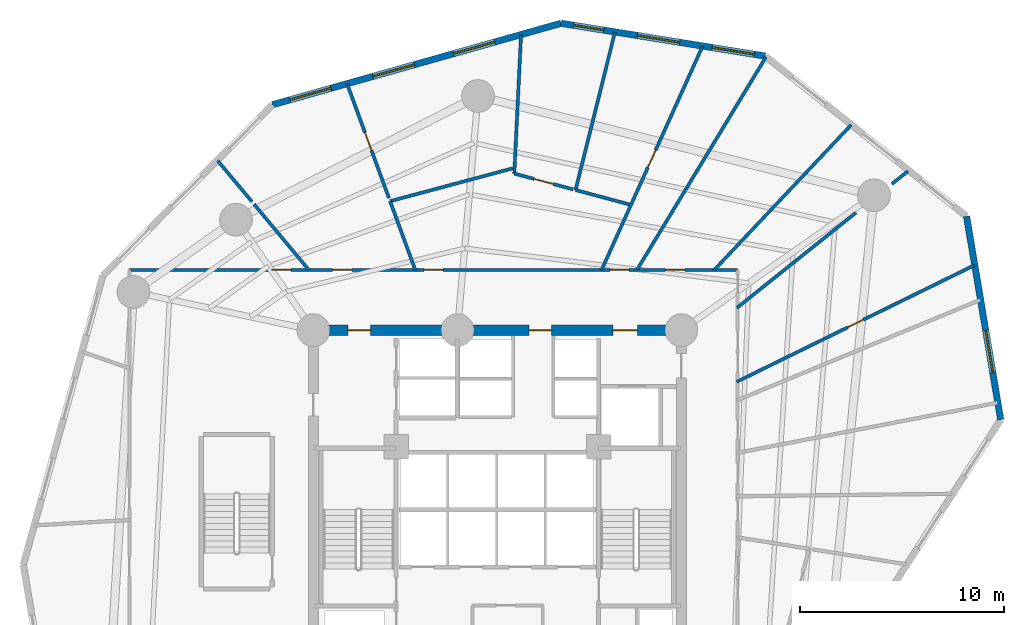
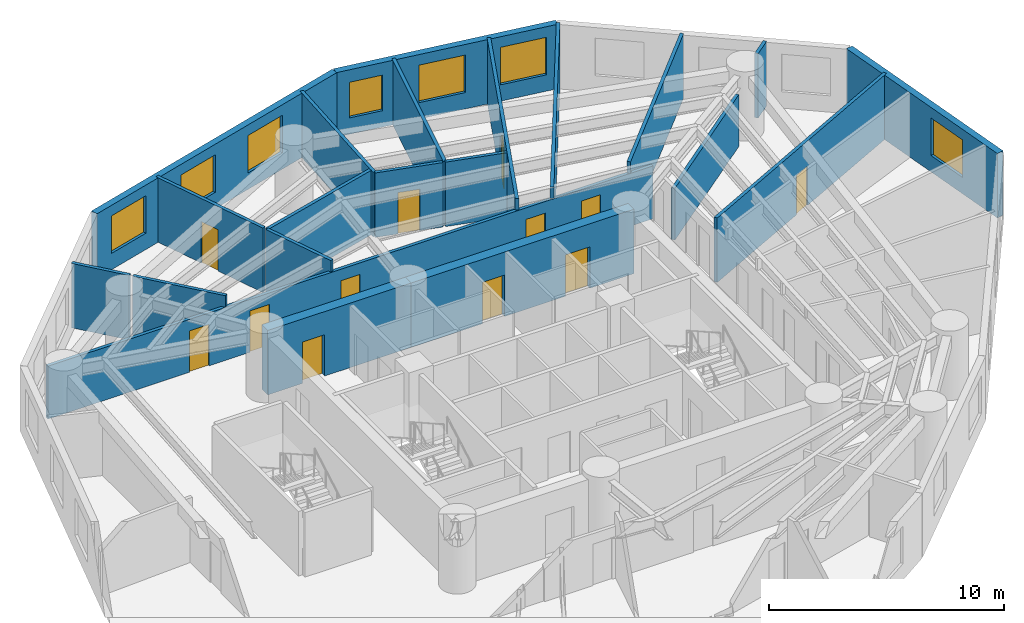
# One storey, part 6 of 8: 21 walls, 12 doors, 7 windows, 19 openings.
"""IFC4 building model written with IfcOpenShell, lengths in metres."""

from ifc_helpers import new_model, si_unit, direction, frame, frame_2d, origin, origin_with_axes, place, context, subcontext, project, spatial, rectangle, extrude, source, transform, mapped, material, layer, layer_set, type_object, element, fill, save


model = new_model("IFC4")

# Units and contexts
model_context = context("Model", 3, precision=1e-05, world=origin(), true_north=direction((0.0, 1.0)))
body_context = subcontext(model_context, "Body", "Model", "MODEL_VIEW")
ifc_project = project(units=[si_unit("LENGTHUNIT", "METRE"), si_unit("AREAUNIT", "SQUARE_METRE"), si_unit("VOLUMEUNIT", "CUBIC_METRE"), si_unit("PLANEANGLEUNIT", "RADIAN"), si_unit("MASSUNIT", "GRAM", prefix="KILO")], contexts=[model_context])

# Site, building, storey
site_placement = place(None, origin())
site = spatial("IfcSite", under=ifc_project, at=site_placement, CompositionType="ELEMENT")
building_placement = place(site_placement, origin())
building = spatial("IfcBuilding", under=site, at=building_placement, Name="Karkom Vertical University and Central Library", CompositionType="ELEMENT")
storey_placement = place(building_placement, frame((0.0, 0.0, 73.300048828125)))
storey = spatial("IfcBuildingStorey", under=building, at=storey_placement, Name="L19", CompositionType="ELEMENT", Elevation=73.300048828125)

# Wall, opening, window
ifc_material_1 = material(Name="Brick-faced precast concrete C45/55", Category="masonry")
ifc_layer_1 = layer(ifc_material_1, 0.320068359375)
ifc_layer_set_1 = layer_set([ifc_layer_1], Name="Brick-faced precast concrete C45/55")
wall_type_1 = type_object("IfcWallType", Name="ENV-WL-BRK-320", PredefinedType="SOLIDWALL", material=ifc_layer_set_1)
wall_1_placement = place(storey_placement, frame((53.123779296875, 30.317626953125, 0.0), z_axis=(0.0, 0.0, 1.0), x_axis=(-0.165473170264, 0.98621429209, 0.0)))
wall_1 = element("IfcWall", 1, at=wall_1_placement, inside=storey, type_object=wall_type_1, Name="Level 19 Brick-Faced Precast Facade Wall 09", PredefinedType="SOLIDWALL", context=body_context, shape_type="SweptSolid", body=[
    extrude(rectangle(XDim=10.09765625, YDim=0.320068359375, at=frame_2d((5.048828125, 0.0))), origin(), (0.0, 0.0, 1.0), 3.349853515625),
])
opening_1_placement = place(wall_1_placement, frame((2.343994140625, 0.0, 0.85009765625)))
opening_1 = element("IfcOpeningElement", 2, at=opening_1_placement, cuts=wall_1, Name="Opening WN-03", PredefinedType="OPENING", context=body_context, shape_type="SweptSolid", body=[
    extrude(rectangle(XDim=2.10009765625, YDim=1.949951171875, at=frame_2d((1.050048828125, 0.97509765625))), frame((0.0, 0.169921875, 0.0), z_axis=(0.0, -1.0, 0.0), x_axis=(1.0, 0.0, 0.0)), (0.0, 0.0, 1.0), 0.340087890625),
])
ifc_material_2 = material(Name="Aluminium thermal-break frame with solar-control IGU", Category="aluminium")
window_type_1 = type_object("IfcWindowType", Name="ENV-WIN-WN-03", PartitioningType="SINGLE_PANEL", PredefinedType="WINDOW", material=ifc_material_2)
shared_shape_1 = source(origin_with_axes(), body_context, "Body", "SweptSolid", [
    extrude(rectangle(XDim=2.10009765625, YDim=1.949951171875, at=frame_2d((1.050048828125, 0.97509765625))), frame((0.0, 0.030029296875, 0.0), z_axis=(0.0, -1.0, 0.0), x_axis=(1.0, 0.0, 0.0)), (0.0, 0.0, 1.0), 0.06005859375),
])
window_1_placement = place(opening_1_placement, origin())
window_1 = element("IfcWindow", 3, at=window_1_placement, inside=storey, type_object=window_type_1, Name="Level 19 Punched Window 9.1", OverallHeight=1.949951171875, OverallWidth=2.10009765625, PartitioningType="SINGLE_PANEL", PredefinedType="WINDOW", context=body_context, shape_type="MappedRepresentation", body=[
    mapped(shared_shape_1, transform((0.0, 0.0, 0.0), scale=1.0)),
])
fill(opening_1, window_1)

# Wall, openings, windows
wall_2_placement = place(storey_placement, frame((41.607177734375, 48.1123046875, 0.0), z_axis=(0.0, 0.0, 1.0), x_axis=(-0.9873463626, 0.158578561793, 0.0)))
wall_2 = element("IfcWall", 4, at=wall_2_placement, inside=storey, type_object=wall_type_1, Name="Level 19 Brick-Faced Precast Facade Wall 11", PredefinedType="SOLIDWALL", context=body_context, shape_type="SweptSolid", body=[
    extrude(rectangle(XDim=10.119384765625, YDim=0.320068359375, at=frame_2d((5.0595703125, 0.0))), origin(), (0.0, 0.0, 1.0), 3.349853515625),
])
opening_2_placement = place(wall_2_placement, frame((0.540283203125, 0.0, 0.85009765625)))
opening_2 = element("IfcOpeningElement", 5, at=opening_2_placement, cuts=wall_2, Name="Opening WN-03", PredefinedType="OPENING", context=body_context, shape_type="SweptSolid", body=[
    extrude(rectangle(XDim=2.10009765625, YDim=1.949951171875, at=frame_2d((1.050048828125, 0.97509765625))), frame((0.0, 0.169921875, 0.0), z_axis=(0.0, -1.0, 0.0), x_axis=(1.0, 0.0, 0.0)), (0.0, 0.0, 1.0), 0.340087890625),
])
opening_3_placement = place(wall_2_placement, frame((4.236572265625, 0.0, 0.85009765625)))
opening_3 = element("IfcOpeningElement", 6, at=opening_3_placement, cuts=wall_2, Name="Opening WN-03", PredefinedType="OPENING", context=body_context, shape_type="SweptSolid", body=[
    extrude(rectangle(XDim=2.10009765625, YDim=1.949951171875, at=frame_2d((1.050048828125, 0.97509765625))), frame((0.0, 0.169921875, 0.0), z_axis=(0.0, -1.0, 0.0), x_axis=(1.0, 0.0, 0.0)), (0.0, 0.0, 1.0), 0.340087890625),
])
opening_4_placement = place(wall_2_placement, frame((8.006103515625, 0.0, 0.85009765625)))
opening_4 = element("IfcOpeningElement", 7, at=opening_4_placement, cuts=wall_2, Name="Opening WN-05", PredefinedType="OPENING", context=body_context, shape_type="SweptSolid", body=[
    extrude(rectangle(XDim=1.5, YDim=1.85009765625, at=frame_2d((0.75, 0.925048828125))), frame((0.0, 0.169921875, 0.0), z_axis=(0.0, -1.0, 0.0), x_axis=(1.0, 0.0, 0.0)), (0.0, 0.0, 1.0), 0.340087890625),
])
window_2_placement = place(opening_2_placement, origin())
window_2 = element("IfcWindow", 8, at=window_2_placement, inside=storey, type_object=window_type_1, Name="Level 19 Punched Window 11.1", OverallHeight=1.949951171875, OverallWidth=2.10009765625, PartitioningType="SINGLE_PANEL", PredefinedType="WINDOW", context=body_context, shape_type="MappedRepresentation", body=[
    mapped(shared_shape_1, transform((0.0, 0.0, 0.0), scale=1.0)),
])
fill(opening_2, window_2)
window_3_placement = place(opening_3_placement, origin())
window_3 = element("IfcWindow", 9, at=window_3_placement, inside=storey, type_object=window_type_1, Name="Level 19 Punched Window 11.2", OverallHeight=1.949951171875, OverallWidth=2.10009765625, PartitioningType="SINGLE_PANEL", PredefinedType="WINDOW", context=body_context, shape_type="MappedRepresentation", body=[
    mapped(shared_shape_1, transform((0.0, 0.0, 0.0), scale=1.0)),
])
fill(opening_3, window_3)
window_type_2 = type_object("IfcWindowType", Name="ENV-WIN-WN-05", PartitioningType="SINGLE_PANEL", PredefinedType="WINDOW", material=ifc_material_2)
shared_shape_2 = source(origin_with_axes(), body_context, "Body", "SweptSolid", [
    extrude(rectangle(XDim=1.5, YDim=1.85009765625, at=frame_2d((0.75, 0.925048828125))), frame((0.0, 0.030029296875, 0.0), z_axis=(0.0, -1.0, 0.0), x_axis=(1.0, 0.0, 0.0)), (0.0, 0.0, 1.0), 0.06005859375),
])
window_4_placement = place(opening_4_placement, origin())
window_4 = element("IfcWindow", 10, at=window_4_placement, inside=storey, type_object=window_type_2, Name="Level 19 Punched Window 11.3", OverallHeight=1.85009765625, OverallWidth=1.5, PartitioningType="SINGLE_PANEL", PredefinedType="WINDOW", context=body_context, shape_type="MappedRepresentation", body=[
    mapped(shared_shape_2, transform((0.0, 0.0, 0.0), scale=1.0)),
])
fill(opening_4, window_4)

wall_3_placement = place(storey_placement, frame((31.61572265625, 49.717041015625, 0.0), z_axis=(0.0, 0.0, 1.0), x_axis=(-0.962407203723, -0.271610703436, 0.0)))
wall_3 = element("IfcWall", 11, at=wall_3_placement, inside=storey, type_object=wall_type_1, Name="Level 19 Brick-Faced Precast Facade Wall 12", PredefinedType="SOLIDWALL", context=body_context, shape_type="SweptSolid", body=[
    extrude(rectangle(XDim=14.67578125, YDim=0.320068359375, at=frame_2d((7.337890625, 0.0))), origin(), (0.0, 0.0, 1.0), 3.349853515625),
])
opening_5_placement = place(wall_3_placement, frame((3.370361328125, 0.0, 0.85009765625)))
opening_5 = element("IfcOpeningElement", 12, at=opening_5_placement, cuts=wall_3, Name="Opening WN-03", PredefinedType="OPENING", context=body_context, shape_type="SweptSolid", body=[
    extrude(rectangle(XDim=2.10009765625, YDim=1.949951171875, at=frame_2d((1.050048828125, 0.97509765625))), frame((0.0, 0.169921875, 0.0), z_axis=(0.0, -1.0, 0.0), x_axis=(1.0, 0.0, 0.0)), (0.0, 0.0, 1.0), 0.340087890625),
])
opening_6_placement = place(wall_3_placement, frame((7.45947265625, 0.0, 0.85009765625)))
opening_6 = element("IfcOpeningElement", 13, at=opening_6_placement, cuts=wall_3, Name="Opening WN-03", PredefinedType="OPENING", context=body_context, shape_type="SweptSolid", body=[
    extrude(rectangle(XDim=2.10009765625, YDim=1.949951171875, at=frame_2d((1.050048828125, 0.97509765625))), frame((0.0, 0.169921875, 0.0), z_axis=(0.0, -1.0, 0.0), x_axis=(1.0, 0.0, 0.0)), (0.0, 0.0, 1.0), 0.340087890625),
])
opening_7_placement = place(wall_3_placement, frame((11.695068359375, 0.0, 0.85009765625)))
opening_7 = element("IfcOpeningElement", 14, at=opening_7_placement, cuts=wall_3, Name="Opening WN-03", PredefinedType="OPENING", context=body_context, shape_type="SweptSolid", body=[
    extrude(rectangle(XDim=2.10009765625, YDim=1.949951171875, at=frame_2d((1.050048828125, 0.97509765625))), frame((0.0, 0.169921875, 0.0), z_axis=(0.0, -1.0, 0.0), x_axis=(1.0, 0.0, 0.0)), (0.0, 0.0, 1.0), 0.340087890625),
])
window_5_placement = place(opening_5_placement, origin())
window_5 = element("IfcWindow", 15, at=window_5_placement, inside=storey, type_object=window_type_1, Name="Level 19 Punched Window 12.1", OverallHeight=1.949951171875, OverallWidth=2.10009765625, PartitioningType="SINGLE_PANEL", PredefinedType="WINDOW", context=body_context, shape_type="MappedRepresentation", body=[
    mapped(shared_shape_1, transform((0.0, 0.0, 0.0), scale=1.0)),
])
fill(opening_5, window_5)
window_6_placement = place(opening_6_placement, origin())
window_6 = element("IfcWindow", 16, at=window_6_placement, inside=storey, type_object=window_type_1, Name="Level 19 Punched Window 12.2", OverallHeight=1.949951171875, OverallWidth=2.10009765625, PartitioningType="SINGLE_PANEL", PredefinedType="WINDOW", context=body_context, shape_type="MappedRepresentation", body=[
    mapped(shared_shape_1, transform((0.0, 0.0, 0.0), scale=1.0)),
])
fill(opening_6, window_6)
window_7_placement = place(opening_7_placement, origin())
window_7 = element("IfcWindow", 17, at=window_7_placement, inside=storey, type_object=window_type_1, Name="Level 19 Punched Window 12.3", OverallHeight=1.949951171875, OverallWidth=2.10009765625, PartitioningType="SINGLE_PANEL", PredefinedType="WINDOW", context=body_context, shape_type="MappedRepresentation", body=[
    mapped(shared_shape_1, transform((0.0, 0.0, 0.0), scale=1.0)),
])
fill(opening_7, window_7)

# Wall, openings, doors
ifc_material_3 = material(Name="Insulated metal-stud drywall 160mm", Category="gypsum")
ifc_layer_2 = layer(ifc_material_3, 0.159912109375)
ifc_layer_set_2 = layer_set([ifc_layer_2], Name="Insulated metal-stud drywall 160mm")
wall_type_2 = type_object("IfcWallType", Name="INT-WL-COR-160", PredefinedType="PARTITIONING", material=ifc_layer_set_2)
wall_4_placement = place(storey_placement, frame((10.5, 37.64990234375, 0.0), z_axis=(0.0, 0.0, 1.0), x_axis=(1.0, 0.0, 0.0)))
wall_4 = element("IfcWall", 18, at=wall_4_placement, inside=storey, type_object=wall_type_2, Name="Level 19 Interior Partition Wall L19-CORW-CW-003", PredefinedType="PARTITIONING", context=body_context, shape_type="SweptSolid", body=[
    extrude(rectangle(XDim=29.75, YDim=0.159912109375, at=frame_2d((14.875, 0.0))), origin(), (0.0, 0.0, 1.0), 2.75),
])
opening_8_placement = place(wall_4_placement, frame((26.22216796875, 0.0, 0.0)))
opening_8 = element("IfcOpeningElement", 19, at=opening_8_placement, cuts=wall_4, Name="Opening D-RM1", PredefinedType="OPENING", context=body_context, shape_type="SweptSolid", body=[
    extrude(rectangle(XDim=0.949951171875, YDim=2.14990234375, at=frame_2d((0.47509765625, 1.074951171875))), frame((0.0, 0.08984375, 0.0), z_axis=(0.0, -1.0, 0.0), x_axis=(1.0, 0.0, 0.0)), (0.0, 0.0, 1.0), 0.179931640625),
])
opening_9_placement = place(wall_4_placement, frame((23.499755859375, 0.0, 0.0)))
opening_9 = element("IfcOpeningElement", 20, at=opening_9_placement, cuts=wall_4, Name="Opening D-RM1", PredefinedType="OPENING", context=body_context, shape_type="SweptSolid", body=[
    extrude(rectangle(XDim=0.949951171875, YDim=2.14990234375, at=frame_2d((0.47509765625, 1.074951171875))), frame((0.0, 0.08984375, 0.0), z_axis=(0.0, -1.0, 0.0), x_axis=(1.0, 0.0, 0.0)), (0.0, 0.0, 1.0), 0.179931640625),
])
opening_10_placement = place(wall_4_placement, frame((14.39990234375, 0.0, 0.0)))
opening_10 = element("IfcOpeningElement", 21, at=opening_10_placement, cuts=wall_4, Name="Opening D-RM1", PredefinedType="OPENING", context=body_context, shape_type="SweptSolid", body=[
    extrude(rectangle(XDim=0.949951171875, YDim=2.14990234375, at=frame_2d((0.47509765625, 1.074951171875))), frame((0.0, 0.08984375, 0.0), z_axis=(0.0, -1.0, 0.0), x_axis=(1.0, 0.0, 0.0)), (0.0, 0.0, 1.0), 0.179931640625),
])
opening_11_placement = place(wall_4_placement, frame((9.9375, 0.0, 0.0)))
opening_11 = element("IfcOpeningElement", 22, at=opening_11_placement, cuts=wall_4, Name="Opening D-RM1", PredefinedType="OPENING", context=body_context, shape_type="SweptSolid", body=[
    extrude(rectangle(XDim=0.949951171875, YDim=2.14990234375, at=frame_2d((0.47509765625, 1.074951171875))), frame((0.0, 0.08984375, 0.0), z_axis=(0.0, -1.0, 0.0), x_axis=(1.0, 0.0, 0.0)), (0.0, 0.0, 1.0), 0.179931640625),
])
opening_12_placement = place(wall_4_placement, frame((6.96240234375, 0.0, 0.0)))
opening_12 = element("IfcOpeningElement", 23, at=opening_12_placement, cuts=wall_4, Name="Opening D-RM1", PredefinedType="OPENING", context=body_context, shape_type="SweptSolid", body=[
    extrude(rectangle(XDim=0.949951171875, YDim=2.14990234375, at=frame_2d((0.47509765625, 1.074951171875))), frame((0.0, 0.08984375, 0.0), z_axis=(0.0, -1.0, 0.0), x_axis=(1.0, 0.0, 0.0)), (0.0, 0.0, 1.0), 0.179931640625),
])
ifc_material_4 = material(Name="Solid-core oak veneer door", Category="wood")
door_type_1 = type_object("IfcDoorType", Name="INT-DR-RM1", OperationType="NOTDEFINED", PredefinedType="DOOR", material=ifc_material_4)
shared_shape_3 = source(origin_with_axes(), body_context, "Body", "SweptSolid", [
    extrude(rectangle(XDim=0.949951171875, YDim=2.14990234375, at=frame_2d((0.47509765625, 1.074951171875))), frame((0.0, 0.02490234375, 0.0), z_axis=(0.0, -1.0, 0.0), x_axis=(1.0, 0.0, 0.0)), (0.0, 0.0, 1.0), 0.050048828125),
])
door_1_placement = place(opening_8_placement, origin())
door_1 = element("IfcDoor", 24, at=door_1_placement, inside=storey, type_object=door_type_1, Name="Level 19 Room Entry Door 180", OperationType="SINGLE_SWING_RIGHT", OverallHeight=2.14990234375, OverallWidth=0.949951171875, PredefinedType="DOOR", context=body_context, shape_type="MappedRepresentation", body=[
    mapped(shared_shape_3, transform((0.0, 0.0, 0.0), scale=1.0)),
])
fill(opening_8, door_1)
door_2_placement = place(opening_9_placement, origin())
door_2 = element("IfcDoor", 25, at=door_2_placement, inside=storey, type_object=door_type_1, Name="Level 19 Room Entry Door 190", OperationType="SINGLE_SWING_LEFT", OverallHeight=2.14990234375, OverallWidth=0.949951171875, PredefinedType="DOOR", context=body_context, shape_type="MappedRepresentation", body=[
    mapped(shared_shape_3, transform((0.0, 0.0, 0.0), scale=1.0)),
])
fill(opening_9, door_2)
door_3_placement = place(opening_10_placement, origin())
door_3 = element("IfcDoor", 26, at=door_3_placement, inside=storey, type_object=door_type_1, Name="Level 19 Room Entry Door 220", OperationType="SINGLE_SWING_RIGHT", OverallHeight=2.14990234375, OverallWidth=0.949951171875, PredefinedType="DOOR", context=body_context, shape_type="MappedRepresentation", body=[
    mapped(shared_shape_3, transform((0.0, 0.0, 0.0), scale=1.0)),
])
fill(opening_10, door_3)
door_4_placement = place(opening_11_placement, origin())
door_4 = element("IfcDoor", 27, at=door_4_placement, inside=storey, type_object=door_type_1, Name="Level 19 Room Entry Door 240", OperationType="SINGLE_SWING_LEFT", OverallHeight=2.14990234375, OverallWidth=0.949951171875, PredefinedType="DOOR", context=body_context, shape_type="MappedRepresentation", body=[
    mapped(shared_shape_3, transform((0.0, 0.0, 0.0), scale=1.0)),
])
fill(opening_11, door_4)
door_5_placement = place(opening_12_placement, origin())
door_5 = element("IfcDoor", 28, at=door_5_placement, inside=storey, type_object=door_type_1, Name="Level 19 Room Entry Door 250", OperationType="SINGLE_SWING_RIGHT", OverallHeight=2.14990234375, OverallWidth=0.949951171875, PredefinedType="DOOR", context=body_context, shape_type="MappedRepresentation", body=[
    mapped(shared_shape_3, transform((0.0, 0.0, 0.0), scale=1.0)),
])
fill(opening_12, door_5)

# Wall, opening, door
wall_5_placement = place(storey_placement, frame((40.209716796875, 32.1767578125, 0.0), z_axis=(0.0, 0.0, 1.0), x_axis=(0.897812210976, 0.44037851199, 0.0)))
wall_5 = element("IfcWall", 29, at=wall_5_placement, inside=storey, type_object=wall_type_2, Name="Level 19 Interior Partition Wall L19-PW-025", PredefinedType="PARTITIONING", context=body_context, shape_type="SweptSolid", body=[
    extrude(rectangle(XDim=12.9404296875, YDim=0.159912109375, at=frame_2d((6.47021484375, 0.0))), origin(), (0.0, 0.0, 1.0), 3.349853515625),
])
opening_13_placement = place(wall_5_placement, frame((6.040283203125, 0.0, 0.0)))
opening_13 = element("IfcOpeningElement", 30, at=opening_13_placement, cuts=wall_5, Name="Opening FD-BTH2", PredefinedType="OPENING", context=body_context, shape_type="SweptSolid", body=[
    extrude(rectangle(XDim=0.860107421875, YDim=2.0400390625, at=frame_2d((0.43017578125, 1.02001953125))), frame((0.0, 0.08984375, 0.0), z_axis=(0.0, -1.0, 0.0), x_axis=(1.0, 0.0, 0.0)), (0.0, 0.0, 1.0), 0.179931640625),
])
ifc_material_5 = material(Name="Fire-rated moisture-resistant oak door", Category="wood")
door_type_2 = type_object("IfcDoorType", Name="INT-DR-FBTH2", OperationType="NOTDEFINED", PredefinedType="DOOR", material=ifc_material_5)
shared_shape_4 = source(origin_with_axes(), body_context, "Body", "SweptSolid", [
    extrude(rectangle(XDim=0.860107421875, YDim=2.0400390625, at=frame_2d((0.43017578125, 1.02001953125))), frame((0.0, 0.02490234375, 0.0), z_axis=(0.0, -1.0, 0.0), x_axis=(1.0, 0.0, 0.0)), (0.0, 0.0, 1.0), 0.050048828125),
])
door_6_placement = place(opening_13_placement, origin())
door_6 = element("IfcDoor", 31, at=door_6_placement, inside=storey, type_object=door_type_2, Name="Level 19 Faculty Consultation and Research Office Entry Door", OperationType="SINGLE_SWING_LEFT", OverallHeight=2.0400390625, OverallWidth=0.860107421875, PredefinedType="DOOR", context=body_context, shape_type="MappedRepresentation", body=[
    mapped(shared_shape_4, transform((0.0, 0.0, 0.0), scale=1.0)),
])
fill(opening_13, door_6)

# Wall
wall_6_placement = place(storey_placement, frame((35.3115234375, 37.624267578125, 0.0), z_axis=(0.0, 0.0, 1.0), x_axis=(0.518254704024, 0.855226321951, 0.0)))
element("IfcWall", 32, at=wall_6_placement, inside=storey, type_object=wall_type_2, Name="Level 19 Interior Partition Wall L19-PW-029", PredefinedType="PARTITIONING", context=body_context, shape_type="SweptSolid", body=[
    extrude(rectangle(XDim=12.2001953125, YDim=0.159912109375, at=frame_2d((6.10009765625, 0.0))), origin(), (0.0, 0.0, 1.0), 3.349853515625),
])

# Wall, opening, door
wall_7_placement = place(storey_placement, frame((33.5859375, 37.622802734375, 0.0), z_axis=(0.0, 0.0, 1.0), x_axis=(0.411374475058, 0.911466423556, 0.0)))
wall_7 = element("IfcWall", 33, at=wall_7_placement, inside=storey, type_object=wall_type_2, Name="Level 19 Interior Partition Wall L19-PW-030", PredefinedType="PARTITIONING", context=body_context, shape_type="SweptSolid", body=[
    extrude(rectangle(XDim=12.020263671875, YDim=0.159912109375, at=frame_2d((6.01025390625, 0.0))), origin(), (0.0, 0.0, 1.0), 3.349853515625),
])
opening_14_placement = place(wall_7_placement, frame((5.517578125, 0.0, 0.0)))
opening_14 = element("IfcOpeningElement", 34, at=opening_14_placement, cuts=wall_7, Name="Opening D-RM1", PredefinedType="OPENING", context=body_context, shape_type="SweptSolid", body=[
    extrude(rectangle(XDim=0.949951171875, YDim=2.14990234375, at=frame_2d((0.47509765625, 1.074951171875))), frame((0.0, 0.08984375, 0.0), z_axis=(0.0, -1.0, 0.0), x_axis=(1.0, 0.0, 0.0)), (0.0, 0.0, 1.0), 0.179931640625),
])
door_7_placement = place(opening_14_placement, origin())
door_7 = element("IfcDoor", 35, at=door_7_placement, inside=storey, type_object=door_type_1, Name="Level 19 Room Entry Door 200", OperationType="SINGLE_SWING_RIGHT", OverallHeight=2.14990234375, OverallWidth=0.949951171875, PredefinedType="DOOR", context=body_context, shape_type="MappedRepresentation", body=[
    mapped(shared_shape_3, transform((0.0, 0.0, 0.0), scale=1.0)),
])
fill(opening_14, door_7)

# Walls
wall_8_placement = place(storey_placement, frame((39.077392578125, 37.6171875, 0.0), z_axis=(0.0, 0.0, 1.0), x_axis=(0.686453747447, 0.727173468036, 0.0)))
element("IfcWall", 36, at=wall_8_placement, inside=storey, type_object=wall_type_2, Name="Level 19 Interior Partition Wall L19-PW-028", PredefinedType="PARTITIONING", context=body_context, shape_type="SweptSolid", body=[
    extrude(rectangle(XDim=9.796875, YDim=0.159912109375, at=frame_2d((4.8984375, 0.0))), origin(), (0.0, 0.0, 1.0), 3.349853515625),
])
wall_9_placement = place(storey_placement, frame((32.322265625, 41.55859375, 0.0), z_axis=(0.0, 0.0, 1.0), x_axis=(0.242297077633, 0.970202105837, 0.0)))
element("IfcWall", 37, at=wall_9_placement, inside=storey, type_object=wall_type_2, Name="Level 19 Interior Partition Wall L19-PW-031", PredefinedType="PARTITIONING", context=body_context, shape_type="SweptSolid", body=[
    extrude(rectangle(XDim=7.947021484375, YDim=0.159912109375, at=frame_2d((3.9736328125, 0.0))), origin(), (0.0, 0.0, 1.0), 3.349853515625),
])
wall_10_placement = place(storey_placement, frame((40.21484375, 35.79150390625, 0.0), z_axis=(0.0, 0.0, 1.0), x_axis=(0.78096459867, 0.624575292197, 0.0)))
element("IfcWall", 38, at=wall_10_placement, inside=storey, type_object=wall_type_2, Name="Level 19 Interior Partition Wall L19-PW-027", PredefinedType="PARTITIONING", context=body_context, shape_type="SweptSolid", body=[
    extrude(rectangle(XDim=7.458984375, YDim=0.159912109375, at=frame_2d((3.7294921875, 0.0))), origin(), (0.0, 0.0, 1.0), 2.699951171875),
])
wall_11_placement = place(storey_placement, frame((29.327880859375, 42.361083984375, 0.0), z_axis=(0.0, 0.0, 1.0), x_axis=(0.048350248151, 0.99883044282, 0.0)))
element("IfcWall", 39, at=wall_11_placement, inside=storey, type_object=wall_type_2, Name="Level 19 Interior Partition Wall L19-PW-034", PredefinedType="PARTITIONING", context=body_context, shape_type="SweptSolid", body=[
    extrude(rectangle(XDim=6.78125, YDim=0.159912109375, at=frame_2d((3.390625, 0.0))), origin(), (0.0, 0.0, 1.0), 3.349853515625),
])

# Wall, opening, door
wall_12_placement = place(storey_placement, frame((23.1962890625, 41.16162109375, 0.0), z_axis=(0.0, 0.0, 1.0), x_axis=(-0.343755732902, 0.939059101493, 0.0)))
wall_12 = element("IfcWall", 40, at=wall_12_placement, inside=storey, type_object=wall_type_2, Name="Level 19 Interior Partition Wall L19-PW-037", PredefinedType="PARTITIONING", context=body_context, shape_type="SweptSolid", body=[
    extrude(rectangle(XDim=5.938720703125, YDim=0.159912109375, at=frame_2d((2.96923828125, 0.0))), origin(), (0.0, 0.0, 1.0), 3.349853515625),
])
opening_15_placement = place(wall_12_placement, frame((2.476806640625, 0.0, 0.0)))
opening_15 = element("IfcOpeningElement", 41, at=opening_15_placement, cuts=wall_12, Name="Opening D-RM1", PredefinedType="OPENING", context=body_context, shape_type="SweptSolid", body=[
    extrude(rectangle(XDim=0.949951171875, YDim=2.14990234375, at=frame_2d((0.47509765625, 1.074951171875))), frame((0.0, 0.08984375, 0.0), z_axis=(0.0, -1.0, 0.0), x_axis=(1.0, 0.0, 0.0)), (0.0, 0.0, 1.0), 0.179931640625),
])
door_8_placement = place(opening_15_placement, origin())
door_8 = element("IfcDoor", 42, at=door_8_placement, inside=storey, type_object=door_type_1, Name="Level 19 Room Entry Door 230", OperationType="SINGLE_SWING_RIGHT", OverallHeight=2.14990234375, OverallWidth=0.949951171875, PredefinedType="DOOR", context=body_context, shape_type="MappedRepresentation", body=[
    mapped(shared_shape_3, transform((0.0, 0.0, 0.0), scale=1.0)),
])
fill(opening_15, door_8)

# Walls
wall_13_placement = place(storey_placement, frame((23.251708984375, 41.010986328125, 0.0), z_axis=(0.0, 0.0, 1.0), x_axis=(0.965925777149, 0.258819228495, 0.0)))
element("IfcWall", 43, at=wall_13_placement, inside=storey, type_object=wall_type_2, Name="Level 19 Interior Partition Wall L19-PW-035", PredefinedType="PARTITIONING", context=body_context, shape_type="SweptSolid", body=[
    extrude(rectangle(XDim=6.21337890625, YDim=0.159912109375, at=frame_2d((3.106689453125, 0.0))), origin(), (0.0, 0.0, 1.0), 3.349853515625),
])
wall_14_placement = place(storey_placement, frame((19.295654296875, 37.626953125, 0.0), z_axis=(0.0, 0.0, 1.0), x_axis=(-0.64061705383, 0.767860527923, 0.0)))
element("IfcWall", 44, at=wall_14_placement, inside=storey, type_object=wall_type_2, Name="Level 19 Interior Partition Wall L19-PW-038", PredefinedType="PARTITIONING", context=body_context, shape_type="SweptSolid", body=[
    extrude(rectangle(XDim=4.21728515625, YDim=0.159912109375, at=frame_2d((2.108642578125, 0.0))), origin(), (0.0, 0.0, 1.0), 3.349853515625),
])
wall_15_placement = place(storey_placement, frame((24.4921875, 37.621826171875, 0.0), z_axis=(0.0, 0.0, 1.0), x_axis=(-0.343713946851, 0.939074396808, 0.0)))
element("IfcWall", 45, at=wall_15_placement, inside=storey, type_object=wall_type_2, Name="Level 19 Interior Partition Wall L19-PW-036", PredefinedType="PARTITIONING", context=body_context, shape_type="SweptSolid", body=[
    extrude(rectangle(XDim=3.609130859375, YDim=0.159912109375, at=frame_2d((1.8046875, 0.0))), origin(), (0.0, 0.0, 1.0), 3.349853515625),
])

# Wall, opening, door
wall_16_placement = place(storey_placement, frame((32.206298828125, 41.589599609375, 0.0), z_axis=(0.0, 0.0, 1.0), x_axis=(-0.965907820273, 0.25888623512, 0.0)))
wall_16 = element("IfcWall", 46, at=wall_16_placement, inside=storey, type_object=wall_type_2, Name="Level 19 Interior Partition Wall L19-PW-033", PredefinedType="PARTITIONING", context=body_context, shape_type="SweptSolid", body=[
    extrude(rectangle(XDim=2.97998046875, YDim=0.159912109375, at=frame_2d((1.489990234375, 0.0))), origin(), (0.0, 0.0, 1.0), 3.349853515625),
])
opening_16_placement = place(wall_16_placement, frame((1.014892578125, 0.0, 0.0)))
opening_16 = element("IfcOpeningElement", 47, at=opening_16_placement, cuts=wall_16, Name="Opening D-RM1", PredefinedType="OPENING", context=body_context, shape_type="SweptSolid", body=[
    extrude(rectangle(XDim=0.949951171875, YDim=2.14990234375, at=frame_2d((0.47509765625, 1.074951171875))), frame((0.0, 0.08984375, 0.0), z_axis=(0.0, -1.0, 0.0), x_axis=(1.0, 0.0, 0.0)), (0.0, 0.0, 1.0), 0.179931640625),
])
door_9_placement = place(opening_16_placement, origin())
door_9 = element("IfcDoor", 48, at=door_9_placement, inside=storey, type_object=door_type_1, Name="Level 19 Room Entry Door 210", OperationType="SINGLE_SWING_LEFT", OverallHeight=2.14990234375, OverallWidth=0.949951171875, PredefinedType="DOOR", context=body_context, shape_type="MappedRepresentation", body=[
    mapped(shared_shape_3, transform((0.0, 0.0, 0.0), scale=1.0)),
])
fill(opening_16, door_9)

# Walls
wall_17_placement = place(storey_placement, frame((34.94921875, 40.854736328125, 0.0), z_axis=(0.0, 0.0, 1.0), x_axis=(-0.965928818058, 0.258807879411, 0.0)))
element("IfcWall", 49, at=wall_17_placement, inside=storey, type_object=wall_type_2, Name="Level 19 Interior Partition Wall L19-PW-032", PredefinedType="PARTITIONING", context=body_context, shape_type="SweptSolid", body=[
    extrude(rectangle(XDim=2.7197265625, YDim=0.159912109375, at=frame_2d((1.35986328125, 0.0))), origin(), (0.0, 0.0, 1.0), 3.349853515625),
])
wall_18_placement = place(storey_placement, frame((16.493408203125, 40.986083984375, 0.0), z_axis=(0.0, 0.0, 1.0), x_axis=(-0.64062404262, 0.767854697203, 0.0)))
element("IfcWall", 50, at=wall_18_placement, inside=storey, type_object=wall_type_2, Name="Level 19 Interior Partition Wall L19-PW-039", PredefinedType="PARTITIONING", context=body_context, shape_type="SweptSolid", body=[
    extrude(rectangle(XDim=2.62109375, YDim=0.159912109375, at=frame_2d((1.310546875, 0.0))), origin(), (0.0, 0.0, 1.0), 3.349853515625),
])
wall_19_placement = place(storey_placement, frame((47.800048828125, 41.857666015625, 0.0), z_axis=(0.0, 0.0, 1.0), x_axis=(0.781106523597, 0.624397788909, 0.0)))
element("IfcWall", 51, at=wall_19_placement, inside=storey, type_object=wall_type_2, Name="Level 19 Interior Partition Wall L19-PW-026", PredefinedType="PARTITIONING", context=body_context, shape_type="SweptSolid", body=[
    extrude(rectangle(XDim=1.001708984375, YDim=0.159912109375, at=frame_2d((0.5009765625, 0.0))), origin(), (0.0, 0.0, 1.0), 3.349853515625),
])

# Wall, openings, doors
ifc_material_6 = material(Name="Concrete C50/60", Category="concrete")
ifc_layer_3 = layer(ifc_material_6, 0.5)
ifc_layer_set_3 = layer_set([ifc_layer_3], Name="Concrete C50/60")
wall_type_3 = type_object("IfcWallType", Name="STR-WL-CW-500", PredefinedType="SHEAR", material=ifc_layer_set_3)
wall_20_placement = place(storey_placement, frame((37.5, 34.699951171875, 0.0), z_axis=(0.0, 0.0, 1.0), x_axis=(-1.0, 0.0, 0.0)))
wall_20 = element("IfcWall", 52, at=wall_20_placement, inside=storey, type_object=wall_type_3, Name="Level 19 Central Core Shear Wall NW1", PredefinedType="SHEAR", context=body_context, shape_type="SweptSolid", body=[
    extrude(rectangle(XDim=10.949951171875, YDim=0.5, at=frame_2d((5.47509765625, 0.0))), origin(), (0.0, 0.0, 1.0), 3.349853515625),
])
opening_17_placement = place(wall_20_placement, frame((2.14990234375, 0.0, 0.0)))
opening_17 = element("IfcOpeningElement", 53, at=opening_17_placement, cuts=wall_20, Name="Opening FD-SUB1", PredefinedType="OPENING", context=body_context, shape_type="SweptSolid", body=[
    extrude(rectangle(XDim=1.199951171875, YDim=2.14990234375, at=frame_2d((0.60009765625, 1.074951171875))), frame((0.0, 0.260009765625, 0.0), z_axis=(0.0, -1.0, 0.0), x_axis=(1.0, 0.0, 0.0)), (0.0, 0.0, 1.0), 0.52001953125),
])
opening_18_placement = place(wall_20_placement, frame((6.35009765625, 0.0, 0.0)))
opening_18 = element("IfcOpeningElement", 54, at=opening_18_placement, cuts=wall_20, Name="Opening FD-FFL", PredefinedType="OPENING", context=body_context, shape_type="SweptSolid", body=[
    extrude(rectangle(XDim=1.10009765625, YDim=2.14990234375, at=frame_2d((0.550048828125, 1.074951171875))), frame((0.0, 0.260009765625, 0.0), z_axis=(0.0, -1.0, 0.0), x_axis=(1.0, 0.0, 0.0)), (0.0, 0.0, 1.0), 0.52001953125),
])
ifc_material_7 = material(Name="Painted steel smoke-seal fire door", Category="steel")
door_type_3 = type_object("IfcDoorType", Name="INT-DR-FFL", OperationType="NOTDEFINED", PredefinedType="DOOR", material=ifc_material_7)
shared_shape_5 = source(origin_with_axes(), body_context, "Body", "SweptSolid", [
    extrude(rectangle(XDim=1.10009765625, YDim=2.14990234375, at=frame_2d((0.550048828125, 1.074951171875))), frame((0.0, 0.02490234375, 0.0), z_axis=(0.0, -1.0, 0.0), x_axis=(1.0, 0.0, 0.0)), (0.0, 0.0, 1.0), 0.050048828125),
])
door_10_placement = place(opening_18_placement, origin())
door_10 = element("IfcDoor", 55, at=door_10_placement, inside=storey, type_object=door_type_3, Name="Level 19 North Core Lobby Exit Door", OperationType="SINGLE_SWING_RIGHT", OverallHeight=2.14990234375, OverallWidth=1.10009765625, PredefinedType="DOOR", context=body_context, shape_type="MappedRepresentation", body=[
    mapped(shared_shape_5, transform((0.0, 0.0, 0.0), scale=1.0)),
])
fill(opening_18, door_10)
ifc_material_8 = material(Name="Painted steel fire door", Category="steel")
door_type_4 = type_object("IfcDoorType", Name="INT-DR-SUB1", OperationType="NOTDEFINED", PredefinedType="DOOR", material=ifc_material_8)
shared_shape_6 = source(origin_with_axes(), body_context, "Body", "SweptSolid", [
    extrude(rectangle(XDim=1.199951171875, YDim=2.14990234375, at=frame_2d((0.60009765625, 1.074951171875))), frame((0.0, 0.02490234375, 0.0), z_axis=(0.0, -1.0, 0.0), x_axis=(1.0, 0.0, 0.0)), (0.0, 0.0, 1.0), 0.050048828125),
])
door_11_placement = place(opening_17_placement, origin())
door_11 = element("IfcDoor", 56, at=door_11_placement, inside=storey, type_object=door_type_4, Name="Level 19 Service Lobby Fire Door", OperationType="SINGLE_SWING_RIGHT", OverallHeight=2.14990234375, OverallWidth=1.199951171875, PredefinedType="DOOR", context=body_context, shape_type="MappedRepresentation", body=[
    mapped(shared_shape_6, transform((0.0, 0.0, 0.0), scale=1.0)),
])
fill(opening_17, door_11)

# Wall, opening, door
wall_21_placement = place(storey_placement, frame((26.550048828125, 34.699951171875, 0.0), z_axis=(0.0, 0.0, 1.0), x_axis=(-1.0, 0.0, 0.0)))
wall_21 = element("IfcWall", 57, at=wall_21_placement, inside=storey, type_object=wall_type_3, Name="Level 19 Central Core Shear Wall NW2", PredefinedType="SHEAR", context=body_context, shape_type="SweptSolid", body=[
    extrude(rectangle(XDim=7.050048828125, YDim=0.5, at=frame_2d((3.52490234375, 0.0))), origin(), (0.0, 0.0, 1.0), 3.349853515625),
])
opening_19_placement = place(wall_21_placement, frame((4.25, 0.0, 0.0)))
opening_19 = element("IfcOpeningElement", 58, at=opening_19_placement, cuts=wall_21, Name="Opening FD-FFL", PredefinedType="OPENING", context=body_context, shape_type="SweptSolid", body=[
    extrude(rectangle(XDim=1.10009765625, YDim=2.14990234375, at=frame_2d((0.550048828125, 1.074951171875))), frame((0.0, 0.260009765625, 0.0), z_axis=(0.0, -1.0, 0.0), x_axis=(1.0, 0.0, 0.0)), (0.0, 0.0, 1.0), 0.52001953125),
])
door_12_placement = place(opening_19_placement, origin())
door_12 = element("IfcDoor", 59, at=door_12_placement, inside=storey, type_object=door_type_3, Name="Level 19 Firefighting Lobby Door", OperationType="SINGLE_SWING_LEFT", OverallHeight=2.14990234375, OverallWidth=1.10009765625, PredefinedType="DOOR", context=body_context, shape_type="MappedRepresentation", body=[
    mapped(shared_shape_5, transform((0.0, 0.0, 0.0), scale=1.0)),
])
fill(opening_19, door_12)

save(model, "model.ifc")
